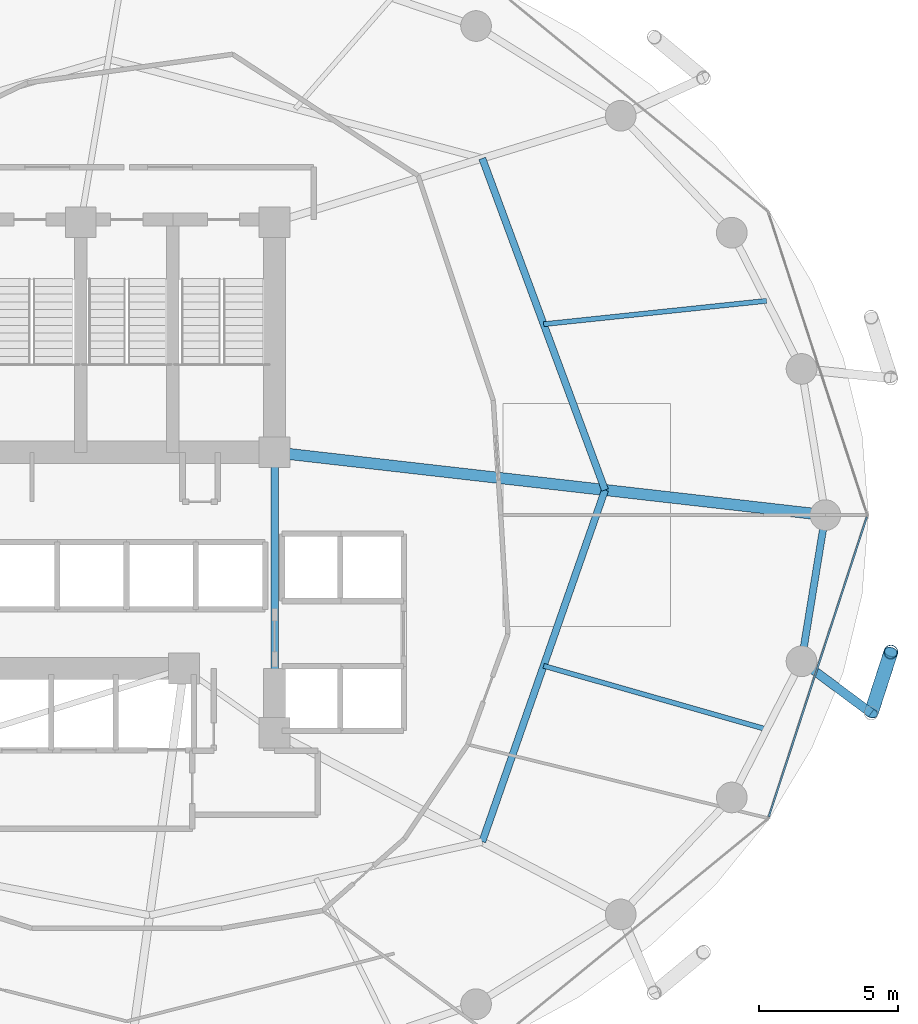
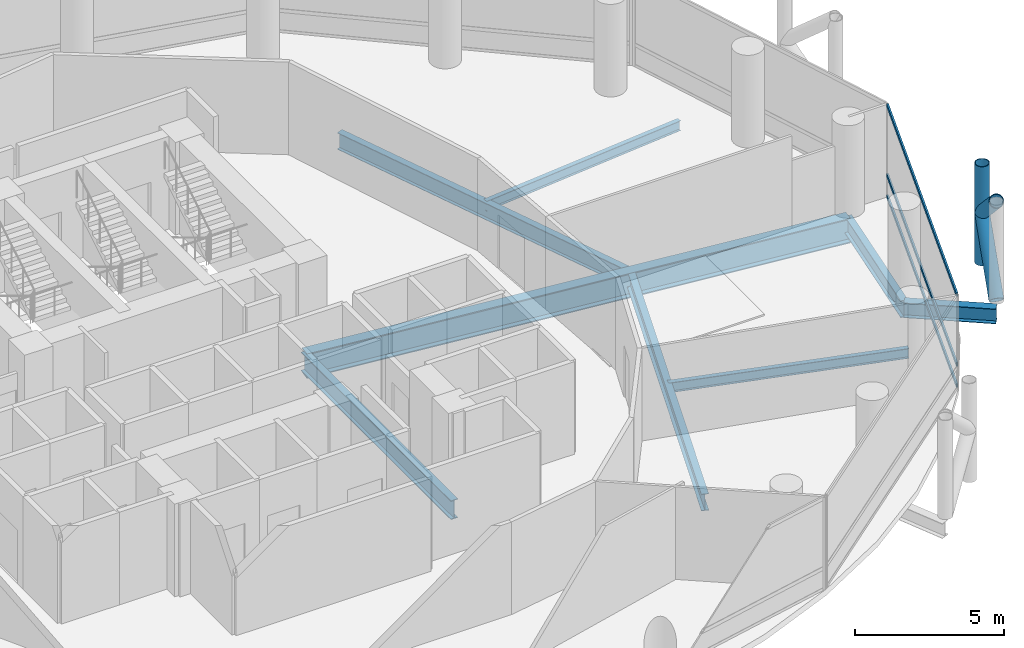
# One storey, part 11 of 24: 8 beams, 6 members, 1 element without a shape of its own.
"""IFC4 building model written with IfcOpenShell, lengths in metres."""

from ifc_helpers import new_model, si_unit, direction, frame, origin, origin_2d, place, context, subcontext, project, spatial, hollow_rectangle, hollow_circle, i_section, extrude, material, layer, layer_set, material_profile, profile_set, type_object, element, aggregate, save


model = new_model("IFC4")

# Units and contexts
model_context = context("Model", 3, precision=1e-05, world=origin(), true_north=direction((0.0, 1.0)))
body_context = subcontext(model_context, "Body", "Model", "MODEL_VIEW")
ifc_project = project(units=[si_unit("LENGTHUNIT", "METRE"), si_unit("AREAUNIT", "SQUARE_METRE"), si_unit("VOLUMEUNIT", "CUBIC_METRE"), si_unit("PLANEANGLEUNIT", "RADIAN"), si_unit("MASSUNIT", "GRAM", prefix="KILO")], contexts=[model_context])

# Site, building, storey
site_placement = place(None, origin())
site = spatial("IfcSite", under=ifc_project, at=site_placement, CompositionType="ELEMENT")
building_placement = place(site_placement, origin())
building = spatial("IfcBuilding", under=site, at=building_placement, Name="Nuhasar Tower", CompositionType="ELEMENT")
storey_placement = place(building_placement, frame((0.0, 0.0, 37.199951171875)))
storey = spatial("IfcBuildingStorey", under=building, at=storey_placement, Name="L08", CompositionType="ELEMENT", Elevation=37.199951171875)

# Beams
ifc_material_1 = material(Name="Steel S355", Category="steel")
ifc_material_profile_1 = material_profile(ifc_material_1, i_section(OverallWidth=0.25390625, OverallDepth=0.68408203125, WebThickness=0.012451171875, FlangeThickness=0.018798828125, at=origin_2d()), Name="W27X94")
ifc_profile_set_1 = profile_set([ifc_material_profile_1], Name="Steel S355")
beam_type_1 = type_object("IfcBeamType", Name="BM-INRING-W27X94", PredefinedType="BEAM", material=ifc_profile_set_1)
beam_1_placement = place(storey_placement, frame((51.748046875, 15.089111328125, -0.60205078125), z_axis=(0.329554049858, 0.944136710558, 0.0), x_axis=(-0.944136710558, 0.329554049858, 0.0)))
element("IfcBeam", 1, at=beam_1_placement, inside=storey, type_object=beam_type_1, Name="L08 Inner Header Beam 03", PredefinedType="BEAM", context=body_context, shape_type="SweptSolid", body=[
    extrude(i_section(OverallWidth=0.25390625, OverallDepth=0.68408203125, WebThickness=0.012451171875, FlangeThickness=0.018798828125, at=origin_2d()), origin(), (0.0, 0.0, 1.0), 13.35693359375),
])
beam_2_placement = place(storey_placement, frame((56.14990234375, 27.699951171875, -0.60205078125), z_axis=(-0.34715757476, 0.937806812881, 0.0), x_axis=(-0.937806812881, -0.34715757476, 0.0)))
element("IfcBeam", 2, at=beam_2_placement, inside=storey, type_object=beam_type_1, Name="L08 Inner Header Beam 04", PredefinedType="BEAM", context=body_context, shape_type="SweptSolid", body=[
    extrude(i_section(OverallWidth=0.25390625, OverallDepth=0.68408203125, WebThickness=0.012451171875, FlangeThickness=0.018798828125, at=origin_2d()), origin(), (0.0, 0.0, 1.0), 12.6796875),
])
ifc_material_profile_2 = material_profile(ifc_material_1, i_section(OverallWidth=0.177978515625, OverallDepth=0.406005859375, WebThickness=0.0078125, FlangeThickness=0.0126953125, at=origin_2d()), Name="W16X40")
ifc_profile_set_2 = profile_set([ifc_material_profile_2], Name="Steel S355")
beam_type_2 = type_object("IfcBeamType", Name="BM-JST-W16X40", PredefinedType="JOIST", material=ifc_profile_set_2)
beam_3_placement = place(storey_placement, frame((53.948974609375, 21.39501953125, -0.462890625), z_axis=(0.961730884496, -0.273995813484, 0.0), x_axis=(0.273995813484, 0.961730884496, 0.0)))
element("IfcBeam", 3, at=beam_3_placement, inside=storey, type_object=beam_type_2, Name="L08 Secondary Floor Joist 03", PredefinedType="JOIST", context=body_context, shape_type="SweptSolid", body=[
    extrude(i_section(OverallWidth=0.177978515625, OverallDepth=0.406005859375, WebThickness=0.0078125, FlangeThickness=0.0126953125, at=origin_2d()), origin(), (0.0, 0.0, 1.0), 8.314208984375),
])
beam_4_placement = place(storey_placement, frame((53.948974609375, 33.64501953125, -0.462890625), z_axis=(0.994554594377, 0.104216883485, 0.0), x_axis=(-0.104216883485, 0.994554594377, 0.0)))
element("IfcBeam", 4, at=beam_4_placement, inside=storey, type_object=beam_type_2, Name="L08 Secondary Floor Joist 04", PredefinedType="JOIST", context=body_context, shape_type="SweptSolid", body=[
    extrude(i_section(OverallWidth=0.177978515625, OverallDepth=0.406005859375, WebThickness=0.0078125, FlangeThickness=0.0126953125, at=origin_2d()), origin(), (0.0, 0.0, 1.0), 8.039794921875),
])
ifc_material_profile_3 = material_profile(ifc_material_1, i_section(OverallWidth=0.26611328125, OverallDepth=0.779052734375, WebThickness=0.0166015625, FlangeThickness=0.030029296875, at=origin_2d()), Name="W30X148")
ifc_profile_set_3 = profile_set([ifc_material_profile_3], Name="Steel S355")
beam_type_3 = type_object("IfcBeamType", Name="BM-RAD-W30X148", PredefinedType="BEAM", material=ifc_profile_set_3)
beam_5_placement = place(storey_placement, frame((44.300048828125, 19.0, -0.64990234375), z_axis=(0.0, 1.0, 0.0), x_axis=(-1.0, 0.0, 0.0)))
element("IfcBeam", 5, at=beam_5_placement, inside=storey, type_object=beam_type_3, Name="L08 Core Ring Girder 3", PredefinedType="BEAM", context=body_context, shape_type="SweptSolid", body=[
    extrude(i_section(OverallWidth=0.26611328125, OverallDepth=0.779052734375, WebThickness=0.0166015625, FlangeThickness=0.030029296875, at=origin_2d()), origin(), (0.0, 0.0, 1.0), 10.050048828125),
])
ifc_material_profile_4 = material_profile(ifc_material_1, i_section(OverallWidth=0.256103515625, OverallDepth=0.693115234375, WebThickness=0.014404296875, FlangeThickness=0.023681640625, at=origin_2d()), Name="W27X114")
ifc_profile_set_4 = profile_set([ifc_material_profile_4], Name="Steel S355")
beam_type_4 = type_object("IfcBeamType", Name="BM-RING-W27X114", PredefinedType="SPANDREL", material=ifc_profile_set_4)
beam_6_placement = place(storey_placement, frame((63.196044921875, 21.55908203125, -0.60693359375), z_axis=(0.160826635486, 0.986982671235, 0.0), x_axis=(-0.986982671235, 0.160826635486, 0.0)))
element("IfcBeam", 6, at=beam_6_placement, inside=storey, type_object=beam_type_4, Name="L08 Perimeter Ring Spandrel 24", PredefinedType="SPANDREL", context=body_context, shape_type="SweptSolid", body=[
    extrude(i_section(OverallWidth=0.256103515625, OverallDepth=0.693115234375, WebThickness=0.014404296875, FlangeThickness=0.023681640625, at=origin_2d()), origin(), (0.0, 0.0, 1.0), 5.31005859375),
])
ifc_material_profile_5 = material_profile(ifc_material_1, i_section(OverallWidth=0.323974609375, OverallDepth=0.611083984375, WebThickness=0.0126953125, FlangeThickness=0.01904296875, at=origin_2d()), Name="W24X104")
ifc_profile_set_5 = profile_set([ifc_material_profile_5], Name="Steel S355")
beam_type_5 = type_object("IfcBeamType", Name="BM-TIE-W24X104", PredefinedType="BEAM", material=ifc_profile_set_5)
beam_7_placement = place(storey_placement, frame((63.196044921875, 21.55908203125, -0.56591796875), z_axis=(0.802113478067, -0.597171640572, 0.0), x_axis=(0.597171640572, 0.802113478067, 0.0)))
element("IfcBeam", 7, at=beam_7_placement, inside=storey, type_object=beam_type_5, Name="L08 Exoskeleton Node Tie Beam 12", PredefinedType="BEAM", context=body_context, shape_type="SweptSolid", body=[
    extrude(i_section(OverallWidth=0.323974609375, OverallDepth=0.611083984375, WebThickness=0.0126953125, FlangeThickness=0.01904296875, at=origin_2d()), origin(), (0.0, 0.0, 1.0), 3.111572265625),
])
ifc_material_2 = material(Name="Steel S460", Category="steel")
ifc_material_profile_6 = material_profile(ifc_material_2, i_section(OverallWidth=0.40087890625, OverallDepth=1.010009765625, WebThickness=0.023681640625, FlangeThickness=0.0419921875, at=origin_2d()), Name="W40X297")
ifc_profile_set_6 = profile_set([ifc_material_profile_6], Name="Steel S460")
beam_type_6 = type_object("IfcBeamType", Name="BM-XFER-W40X297", PredefinedType="USERDEFINED", material=ifc_profile_set_6)
beam_8_placement = place(storey_placement, frame((44.300048828125, 29.050048828125, -0.764892578125), z_axis=(0.993573147212, -0.113191877531, 0.0), x_axis=(0.113191877531, 0.993573147212, 0.0)))
element("IfcBeam", 8, at=beam_8_placement, inside=storey, type_object=beam_type_6, Name="L08 Radial Floor Girder 04", ObjectType="GIRDER", PredefinedType="USERDEFINED", context=body_context, shape_type="SweptSolid", body=[
    extrude(i_section(OverallWidth=0.40087890625, OverallDepth=1.010009765625, WebThickness=0.023681640625, FlangeThickness=0.0419921875, at=origin_2d()), origin(), (0.0, 0.0, 1.0), 19.877685546875),
])

# Curtain wall, members
ifc_material_3 = material(Name="Aluminium 6063-T6", Category="aluminium")
ifc_layer = layer(ifc_material_3, 0.199951171875)
ifc_layer_set = layer_set([ifc_layer], Name="Aluminium 6063-T6")
curtain_wall_type = type_object("IfcCurtainWallType", Name="CW-Z1-OFF", PredefinedType="NOTDEFINED", material=ifc_layer_set)
curtain_wall_placement = place(storey_placement, origin())
curtain_wall = element("IfcCurtainWall", 9, at=curtain_wall_placement, inside=storey, type_object=curtain_wall_type, Name="L08 Unitised Curtain Wall 12", PredefinedType="NOTDEFINED")
ifc_material_profile_7 = material_profile(ifc_material_3, hollow_rectangle(XDim=0.06494140625, YDim=0.14990234375, WallThickness=0.00439453125, at=origin_2d()), Name="CWT-2")
ifc_profile_set_7 = profile_set([ifc_material_profile_7], Name="Aluminium 6063-T6")
member_type_1 = type_object("IfcMemberType", Name="CW-TRN-S2", PredefinedType="USERDEFINED", material=ifc_profile_set_7)
member_1_placement = place(storey_placement, frame((62.022216796875, 15.981689453125, 0.032470703125), z_axis=(0.310818687697, 0.950469222741, 0.0), x_axis=(-0.950469222741, 0.310818687697, 0.0)))
member_1 = element("IfcMember", 10, at=member_1_placement, type_object=member_type_1, Name="CW-Z1 transom 1.1", ObjectType="TRANSOM", PredefinedType="USERDEFINED", context=body_context, shape_type="SweptSolid", body=[
    extrude(hollow_rectangle(XDim=0.06494140625, YDim=0.14990234375, WallThickness=0.00439453125, at=origin_2d()), origin(), (0.0, 0.0, 1.0), 11.317138671875),
])
member_2_placement = place(storey_placement, frame((62.022216796875, 15.981689453125, 0.900146484375), z_axis=(0.310818687697, 0.950469222741, 0.0), x_axis=(-0.950469222741, 0.310818687697, 0.0)))
member_2 = element("IfcMember", 11, at=member_2_placement, type_object=member_type_1, Name="CW-Z1 transom 1.2", ObjectType="TRANSOM", PredefinedType="USERDEFINED", context=body_context, shape_type="SweptSolid", body=[
    extrude(hollow_rectangle(XDim=0.06494140625, YDim=0.14990234375, WallThickness=0.00439453125, at=origin_2d()), origin(), (0.0, 0.0, 1.0), 11.317138671875),
])
member_3_placement = place(storey_placement, frame((62.022216796875, 15.981689453125, 3.757568359375), z_axis=(0.310818687697, 0.950469222741, 0.0), x_axis=(-0.950469222741, 0.310818687697, 0.0)))
member_3 = element("IfcMember", 12, at=member_3_placement, type_object=member_type_1, Name="CW-Z1 transom 1.3", ObjectType="TRANSOM", PredefinedType="USERDEFINED", context=body_context, shape_type="SweptSolid", body=[
    extrude(hollow_rectangle(XDim=0.06494140625, YDim=0.14990234375, WallThickness=0.00439453125, at=origin_2d()), origin(), (0.0, 0.0, 1.0), 11.317138671875),
])
aggregate(curtain_wall, [member_1, member_2, member_3])

# Members
ifc_material_profile_8 = material_profile(ifc_material_2, hollow_circle(Radius=0.25390625, WallThickness=0.025390625, at=origin_2d()), Name="HSS508X25.4")
ifc_profile_set_8 = profile_set([ifc_material_profile_8], Name="Steel S460")
member_type_2 = type_object("IfcMemberType", Name="EXO-BRONZE-508", PredefinedType="BRACE", material=ifc_profile_set_8)
member_4_placement = place(storey_placement, frame((66.39990234375, 21.889892578125, 0.0), z_axis=(0.0, 0.0, 1.0), x_axis=(1.0, 0.0, 0.0)))
element("IfcMember", 13, at=member_4_placement, inside=storey, type_object=member_type_2, Name="L08 Exoskeleton Chord Column EC-12B", PredefinedType="BRACE", context=body_context, shape_type="SweptSolid", body=[
    extrude(hollow_circle(Radius=0.25390625, WallThickness=0.025390625, at=origin_2d()), origin(), (0.0, 0.0, 1.0), 4.050048828125),
])
member_5_placement = place(storey_placement, frame((65.69189453125, 19.700927734375, 0.0), z_axis=(0.230999678299, 0.714187281251, 0.660738734997), x_axis=(-0.951468282519, 0.307746823478, 0.0)))
element("IfcMember", 14, at=member_5_placement, inside=storey, type_object=member_type_2, Name="L08 Bronze Diagrid Brace W1-12", PredefinedType="BRACE", context=body_context, shape_type="SweptSolid", body=[
    extrude(hollow_circle(Radius=0.25390625, WallThickness=0.025390625, at=origin_2d()), origin(), (0.0, 0.0, 1.0), 3.06494140625),
])
member_6_placement = place(storey_placement, frame((66.39990234375, 21.889892578125, 2.025146484375), z_axis=(-0.231011836313, -0.714224870475, 0.660693851854), x_axis=(0.951468282519, -0.307746823478, 0.0)))
element("IfcMember", 15, at=member_6_placement, inside=storey, type_object=member_type_2, Name="L08 Bronze Diagrid Brace W2-12", PredefinedType="BRACE", context=body_context, shape_type="SweptSolid", body=[
    extrude(hollow_circle(Radius=0.25390625, WallThickness=0.025390625, at=origin_2d()), origin(), (0.0, 0.0, 1.0), 3.064697265625),
])

save(model, "model.ifc")
